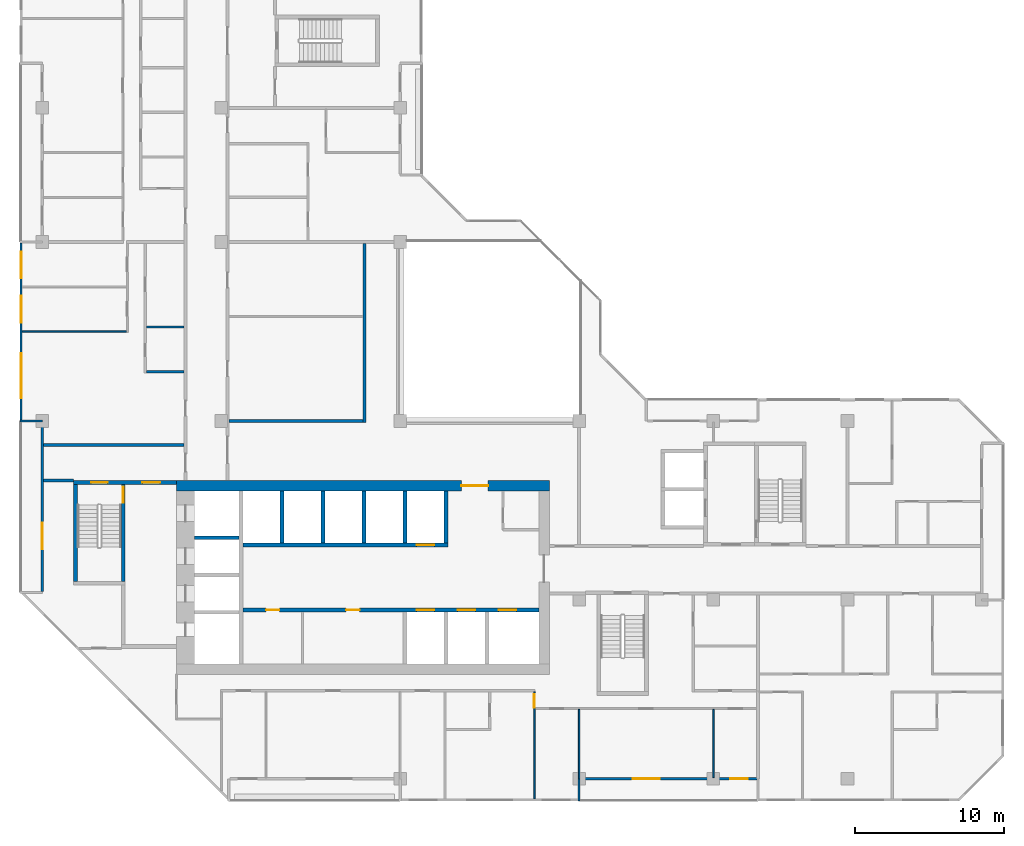
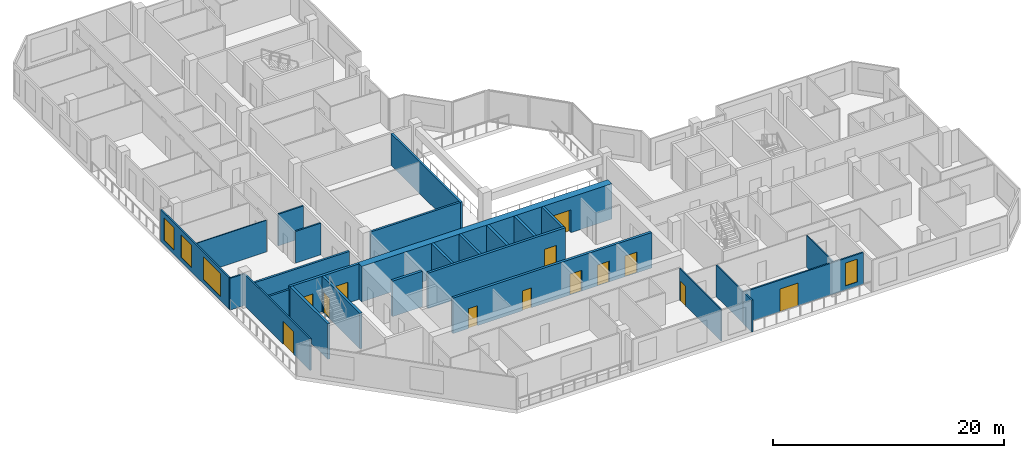
# One storey, part 5 of 15: 27 walls, 13 doors, 4 windows, 17 openings.
"""IFC4 building model written with IfcOpenShell, lengths in metres."""

from ifc_helpers import new_model, si_unit, direction, frame, frame_2d, origin, place, context, subcontext, project, spatial, rectangle, extrude, material, layer, layer_set, type_object, element, fill, save


model = new_model("IFC4")

# Units and contexts
model_context = context("Model", 3, precision=1e-05, world=origin(), true_north=direction((0.0, 1.0)))
body_context = subcontext(model_context, "Body", "Model", "MODEL_VIEW")
ifc_project = project(units=[si_unit("LENGTHUNIT", "METRE"), si_unit("AREAUNIT", "SQUARE_METRE"), si_unit("VOLUMEUNIT", "CUBIC_METRE"), si_unit("PLANEANGLEUNIT", "RADIAN"), si_unit("MASSUNIT", "GRAM", prefix="KILO")], contexts=[model_context])

# Site, building, storey
site_placement = place(None, origin())
site = spatial("IfcSite", under=ifc_project, at=site_placement, CompositionType="ELEMENT")
building_placement = place(site_placement, origin())
building = spatial("IfcBuilding", under=site, at=building_placement, Name="Chenar Terraces", CompositionType="ELEMENT")
storey_placement = place(building_placement, frame((0.0, 0.0, 215.39990234375)))
storey = spatial("IfcBuildingStorey", under=building, at=storey_placement, Name="L50", CompositionType="ELEMENT", Elevation=215.39990234375)

# Wall, openings, doors
ifc_material_1 = material(Name="Concrete C60/75", Category="concrete")
ifc_layer_1 = layer(ifc_material_1, 0.25)
ifc_layer_set_1 = layer_set([ifc_layer_1], Name="Concrete C60/75")
wall_type_1 = type_object("IfcWallType", Name="Core wall 250 Concrete C60/75", PredefinedType="SHEAR", material=ifc_layer_set_1)
wall_1_placement = place(storey_placement, frame((13.449951171875, 11.324951171875, 0.0), z_axis=(0.0, 0.0, 1.0), x_axis=(1.0, 0.0, 0.0)))
wall_1 = element("IfcWall", 1, at=wall_1_placement, inside=storey, type_object=wall_type_1, Name="Core wall SF L50", PredefinedType="SHEAR", context=body_context, shape_type="SweptSolid", body=[
    extrude(rectangle(XDim=19.85009765625, YDim=0.25, at=frame_2d((9.925048828125, 0.0))), origin(), (0.0, 0.0, 1.0), 3.75),
])
opening_1_placement = place(wall_1_placement, frame((11.64990234375, 0.0, 0.0)))
opening_1 = element("IfcOpeningElement", 2, at=opening_1_placement, cuts=wall_1, Name="Opening DL50-LD1", PredefinedType="OPENING", context=body_context, shape_type="SweptSolid", body=[
    extrude(rectangle(XDim=1.199951171875, YDim=2.199951171875, at=frame_2d((0.60009765625, 1.10009765625))), frame((0.0, 0.135009765625, 0.0), z_axis=(0.0, -1.0, 0.0), x_axis=(1.0, 0.0, 0.0)), (0.0, 0.0, 1.0), 0.27001953125),
])
opening_2_placement = place(wall_1_placement, frame((14.39990234375, 0.0, 0.0)))
opening_2 = element("IfcOpeningElement", 3, at=opening_2_placement, cuts=wall_1, Name="Opening DL50-LD2", PredefinedType="OPENING", context=body_context, shape_type="SweptSolid", body=[
    extrude(rectangle(XDim=1.199951171875, YDim=2.199951171875, at=frame_2d((0.60009765625, 1.10009765625))), frame((0.0, 0.135009765625, 0.0), z_axis=(0.0, -1.0, 0.0), x_axis=(1.0, 0.0, 0.0)), (0.0, 0.0, 1.0), 0.27001953125),
])
opening_3_placement = place(wall_1_placement, frame((17.14990234375, 0.0, 0.0)))
opening_3 = element("IfcOpeningElement", 4, at=opening_3_placement, cuts=wall_1, Name="Opening DL50-LD3", PredefinedType="OPENING", context=body_context, shape_type="SweptSolid", body=[
    extrude(rectangle(XDim=1.199951171875, YDim=2.199951171875, at=frame_2d((0.60009765625, 1.10009765625))), frame((0.0, 0.135009765625, 0.0), z_axis=(0.0, -1.0, 0.0), x_axis=(1.0, 0.0, 0.0)), (0.0, 0.0, 1.0), 0.27001953125),
])
opening_4_placement = place(wall_1_placement, frame((1.550048828125, 0.0, 0.0)))
opening_4 = element("IfcOpeningElement", 5, at=opening_4_placement, cuts=wall_1, Name="Opening DL50-C12", PredefinedType="OPENING", context=body_context, shape_type="SweptSolid", body=[
    extrude(rectangle(XDim=0.89990234375, YDim=2.10009765625, at=frame_2d((0.449951171875, 1.050048828125))), frame((0.0, 0.135009765625, 0.0), z_axis=(0.0, -1.0, 0.0), x_axis=(1.0, 0.0, 0.0)), (0.0, 0.0, 1.0), 0.27001953125),
])
opening_5_placement = place(wall_1_placement, frame((6.925048828125, 0.0, 0.0)))
opening_5 = element("IfcOpeningElement", 6, at=opening_5_placement, cuts=wall_1, Name="Opening DL50-C13", PredefinedType="OPENING", context=body_context, shape_type="SweptSolid", body=[
    extrude(rectangle(XDim=0.89990234375, YDim=2.10009765625, at=frame_2d((0.449951171875, 1.050048828125))), frame((0.0, 0.135009765625, 0.0), z_axis=(0.0, -1.0, 0.0), x_axis=(1.0, 0.0, 0.0)), (0.0, 0.0, 1.0), 0.27001953125),
])
ifc_material_2 = material(Name="Stainless steel", Category="steel")
door_type_1 = type_object("IfcDoorType", Name="Lift landing door 1200 x 2200 sliding", OperationType="DOUBLE_DOOR_SLIDING", PredefinedType="DOOR", material=ifc_material_2)
door_1_placement = place(opening_1_placement, origin())
door_1 = element("IfcDoor", 7, at=door_1_placement, inside=storey, type_object=door_type_1, Name="Landing door M1", OperationType="DOUBLE_DOOR_SLIDING", OverallHeight=2.199951171875, OverallWidth=1.199951171875, PredefinedType="DOOR", context=body_context, shape_type="SweptSolid", body=[
    extrude(rectangle(XDim=1.199951171875, YDim=2.199951171875, at=frame_2d((0.60009765625, 1.10009765625))), frame((0.0, 0.02490234375, 0.0), z_axis=(0.0, -1.0, 0.0), x_axis=(1.0, 0.0, 0.0)), (0.0, 0.0, 1.0), 0.050048828125),
])
fill(opening_1, door_1)
door_2_placement = place(opening_2_placement, origin())
door_2 = element("IfcDoor", 8, at=door_2_placement, inside=storey, type_object=door_type_1, Name="Landing door M2", OperationType="DOUBLE_DOOR_SLIDING", OverallHeight=2.199951171875, OverallWidth=1.199951171875, PredefinedType="DOOR", context=body_context, shape_type="SweptSolid", body=[
    extrude(rectangle(XDim=1.199951171875, YDim=2.199951171875, at=frame_2d((0.60009765625, 1.10009765625))), frame((0.0, 0.02490234375, 0.0), z_axis=(0.0, -1.0, 0.0), x_axis=(1.0, 0.0, 0.0)), (0.0, 0.0, 1.0), 0.050048828125),
])
fill(opening_2, door_2)
door_3_placement = place(opening_3_placement, origin())
door_3 = element("IfcDoor", 9, at=door_3_placement, inside=storey, type_object=door_type_1, Name="Landing door M3", OperationType="DOUBLE_DOOR_SLIDING", OverallHeight=2.199951171875, OverallWidth=1.199951171875, PredefinedType="DOOR", context=body_context, shape_type="SweptSolid", body=[
    extrude(rectangle(XDim=1.199951171875, YDim=2.199951171875, at=frame_2d((0.60009765625, 1.10009765625))), frame((0.0, 0.02490234375, 0.0), z_axis=(0.0, -1.0, 0.0), x_axis=(1.0, 0.0, 0.0)), (0.0, 0.0, 1.0), 0.050048828125),
])
fill(opening_3, door_3)
ifc_material_3 = material(Name="Steel-framed fire-resisting door leaf", Category="steel")
door_type_2 = type_object("IfcDoorType", Name="Riser fire door FD60 900 x 2100", OperationType="SINGLE_SWING_LEFT", PredefinedType="DOOR", material=ifc_material_3)
door_4_placement = place(opening_4_placement, frame((0.89990234375, 0.0, 0.0), z_axis=(0.0, 0.0, 1.0), x_axis=(-1.0, 0.0, 0.0)))
door_4 = element("IfcDoor", 10, at=door_4_placement, inside=storey, type_object=door_type_2, Name="Core room door DL50-C12", OperationType="SINGLE_SWING_LEFT", OverallHeight=2.10009765625, OverallWidth=0.89990234375, PredefinedType="DOOR", context=body_context, shape_type="SweptSolid", body=[
    extrude(rectangle(XDim=0.89990234375, YDim=2.10009765625, at=frame_2d((0.449951171875, 1.050048828125))), frame((0.0, 0.02490234375, 0.0), z_axis=(0.0, -1.0, 0.0), x_axis=(1.0, 0.0, 0.0)), (0.0, 0.0, 1.0), 0.050048828125),
])
fill(opening_4, door_4)
door_5_placement = place(opening_5_placement, frame((0.89990234375, 0.0, 0.0), z_axis=(0.0, 0.0, 1.0), x_axis=(-1.0, 0.0, 0.0)))
door_5 = element("IfcDoor", 11, at=door_5_placement, inside=storey, type_object=door_type_2, Name="Core room door DL50-C13", OperationType="SINGLE_SWING_RIGHT", OverallHeight=2.10009765625, OverallWidth=0.89990234375, PredefinedType="DOOR", context=body_context, shape_type="SweptSolid", body=[
    extrude(rectangle(XDim=0.89990234375, YDim=2.10009765625, at=frame_2d((0.449951171875, 1.050048828125))), frame((0.0, 0.02490234375, 0.0), z_axis=(0.0, -1.0, 0.0), x_axis=(1.0, 0.0, 0.0)), (0.0, 0.0, 1.0), 0.050048828125),
])
fill(opening_5, door_5)

# Wall, opening, door
wall_2_placement = place(storey_placement, frame((13.449951171875, 15.675048828125, 0.0), z_axis=(0.0, 0.0, 1.0), x_axis=(1.0, 0.0, 0.0)))
wall_2 = element("IfcWall", 12, at=wall_2_placement, inside=storey, type_object=wall_type_1, Name="Core wall NF L50", PredefinedType="SHEAR", context=body_context, shape_type="SweptSolid", body=[
    extrude(rectangle(XDim=13.75, YDim=0.25, at=frame_2d((6.875, 0.0))), origin(), (0.0, 0.0, 1.0), 3.75),
])
opening_6_placement = place(wall_2_placement, frame((11.64990234375, 0.0, 0.0)))
opening_6 = element("IfcOpeningElement", 13, at=opening_6_placement, cuts=wall_2, Name="Opening DL50-LD4", PredefinedType="OPENING", context=body_context, shape_type="SweptSolid", body=[
    extrude(rectangle(XDim=1.199951171875, YDim=2.199951171875, at=frame_2d((0.60009765625, 1.10009765625))), frame((0.0, 0.135009765625, 0.0), z_axis=(0.0, -1.0, 0.0), x_axis=(1.0, 0.0, 0.0)), (0.0, 0.0, 1.0), 0.27001953125),
])
door_6_placement = place(opening_6_placement, origin())
door_6 = element("IfcDoor", 14, at=door_6_placement, inside=storey, type_object=door_type_1, Name="Landing door M4", OperationType="DOUBLE_DOOR_SLIDING", OverallHeight=2.199951171875, OverallWidth=1.199951171875, PredefinedType="DOOR", context=body_context, shape_type="SweptSolid", body=[
    extrude(rectangle(XDim=1.199951171875, YDim=2.199951171875, at=frame_2d((0.60009765625, 1.10009765625))), frame((0.0, 0.02490234375, 0.0), z_axis=(0.0, -1.0, 0.0), x_axis=(1.0, 0.0, 0.0)), (0.0, 0.0, 1.0), 0.050048828125),
])
fill(opening_6, door_6)

# Walls
wall_3_placement = place(storey_placement, frame((10.199951171875, 16.175048828125, 0.0), z_axis=(0.0, 0.0, 1.0), x_axis=(1.0, 0.0, 0.0)))
element("IfcWall", 15, at=wall_3_placement, inside=storey, type_object=wall_type_1, Name="Core wall HW2 L50", PredefinedType="SHEAR", context=body_context, shape_type="SweptSolid", body=[
    extrude(rectangle(XDim=3.0, YDim=0.25, at=frame_2d((1.5, 0.0))), origin(), (0.0, 0.0, 1.0), 3.75),
])
for number, where, z_axis, x_axis, name in (
    (16, (16.074951171875, 15.800048828125, 0.0), (0.0, 0.0, 1.0), (0.0, 1.0, 0.0), "Core wall NS0 L50"),
    (17, (18.824951171875, 15.800048828125, 0.0), (0.0, 0.0, 1.0), (0.0, 1.0, 0.0), "Core wall NS1 L50"),
    (18, (21.574951171875, 15.800048828125, 0.0), (0.0, 0.0, 1.0), (0.0, 1.0, 0.0), "Core wall NS2 L50"),
    (19, (24.324951171875, 15.800048828125, 0.0), (0.0, 0.0, 1.0), (0.0, 1.0, 0.0), "Core wall NS3 L50"),
    (20, (27.074951171875, 15.800048828125, 0.0), (0.0, 0.0, 1.0), (0.0, 1.0, 0.0), "Core wall NE L50"),
):
    element("IfcWall", number, at=place(storey_placement, frame(where, z_axis=z_axis, x_axis=x_axis)), inside=storey, type_object=wall_type_1, Name=name, PredefinedType="SHEAR", context=body_context, shape_type="SweptSolid", body=[
        extrude(rectangle(XDim=3.5, YDim=0.25, at=frame_2d((1.75, 0.0))), origin(), (0.0, 0.0, 1.0), 3.75),
    ])

# Wall, openings, doors
wall_4_placement = place(storey_placement, frame((2.10009765625, 19.875, 0.0), z_axis=(0.0, 0.0, 1.0), x_axis=(1.0, 0.0, 0.0)))
wall_4 = element("IfcWall", 21, at=wall_4_placement, inside=storey, type_object=wall_type_1, Name="Core wall A_N L50", PredefinedType="SHEAR", context=body_context, shape_type="SweptSolid", body=[
    extrude(rectangle(XDim=6.89990234375, YDim=0.25, at=frame_2d((3.449951171875, 0.0))), origin(), (0.0, 0.0, 1.0), 3.75),
])
opening_7_placement = place(wall_4_placement, frame((1.175048828125, 0.0, 0.0)))
opening_7 = element("IfcOpeningElement", 22, at=opening_7_placement, cuts=wall_4, Name="Opening DL50-C5", PredefinedType="OPENING", context=body_context, shape_type="SweptSolid", body=[
    extrude(rectangle(XDim=1.10009765625, YDim=2.199951171875, at=frame_2d((0.550048828125, 1.10009765625))), frame((0.0, 0.135009765625, 0.0), z_axis=(0.0, -1.0, 0.0), x_axis=(1.0, 0.0, 0.0)), (0.0, 0.0, 1.0), 0.27001953125),
])
opening_8_placement = place(wall_4_placement, frame((4.60009765625, 0.0, 0.0)))
opening_8 = element("IfcOpeningElement", 23, at=opening_8_placement, cuts=wall_4, Name="Opening DL50-C6", PredefinedType="OPENING", context=body_context, shape_type="SweptSolid", body=[
    extrude(rectangle(XDim=1.199951171875, YDim=2.199951171875, at=frame_2d((0.60009765625, 1.10009765625))), frame((0.0, 0.135009765625, 0.0), z_axis=(0.0, -1.0, 0.0), x_axis=(1.0, 0.0, 0.0)), (0.0, 0.0, 1.0), 0.27001953125),
])
ifc_material_4 = material(Name="Steel-framed fire-resisting door leaf", Category="steel")
door_type_3 = type_object("IfcDoorType", Name="Lobby fire door FD60 1200 x 2200", OperationType="SINGLE_SWING_LEFT", PredefinedType="DOOR", material=ifc_material_4)
door_7_placement = place(opening_8_placement, frame((1.199951171875, 0.0, 0.0), z_axis=(0.0, 0.0, 1.0), x_axis=(-1.0, 0.0, 0.0)))
door_7 = element("IfcDoor", 24, at=door_7_placement, inside=storey, type_object=door_type_3, Name="Core door DL50-C6", OperationType="SINGLE_SWING_LEFT", OverallHeight=2.199951171875, OverallWidth=1.199951171875, PredefinedType="DOOR", context=body_context, shape_type="SweptSolid", body=[
    extrude(rectangle(XDim=1.199951171875, YDim=2.199951171875, at=frame_2d((0.60009765625, 1.10009765625))), frame((0.0, 0.02490234375, 0.0), z_axis=(0.0, -1.0, 0.0), x_axis=(1.0, 0.0, 0.0)), (0.0, 0.0, 1.0), 0.050048828125),
])
fill(opening_8, door_7)
ifc_material_5 = material(Name="Steel-framed fire-resisting door leaf", Category="steel")
door_type_4 = type_object("IfcDoorType", Name="Stair fire door FD60 1100 x 2200", OperationType="SINGLE_SWING_LEFT", PredefinedType="DOOR", material=ifc_material_5)
door_8_placement = place(opening_7_placement, origin())
door_8 = element("IfcDoor", 25, at=door_8_placement, inside=storey, type_object=door_type_4, Name="Stair door DL50-C5", OperationType="SINGLE_SWING_LEFT", OverallHeight=2.199951171875, OverallWidth=1.10009765625, PredefinedType="DOOR", context=body_context, shape_type="SweptSolid", body=[
    extrude(rectangle(XDim=1.10009765625, YDim=2.199951171875, at=frame_2d((0.550048828125, 1.10009765625))), frame((0.0, 0.02490234375, 0.0), z_axis=(0.0, -1.0, 0.0), x_axis=(1.0, 0.0, 0.0)), (0.0, 0.0, 1.0), 0.050048828125),
])
fill(opening_7, door_8)

# Wall
wall_5_placement = place(storey_placement, frame((2.22509765625, 13.25, 0.0), z_axis=(0.0, 0.0, 1.0), x_axis=(0.0, 1.0, 0.0)))
element("IfcWall", 26, at=wall_5_placement, inside=storey, type_object=wall_type_1, Name="Core wall ST1_W L50", PredefinedType="SHEAR", context=body_context, shape_type="SweptSolid", body=[
    extrude(rectangle(XDim=6.5, YDim=0.25, at=frame_2d((3.25, 0.0))), origin(), (0.0, 0.0, 1.0), 3.75),
])

# Wall, opening, door
wall_6_placement = place(storey_placement, frame((5.425048828125, 13.25, 0.0), z_axis=(0.0, 0.0, 1.0), x_axis=(0.0, 1.0, 0.0)))
wall_6 = element("IfcWall", 27, at=wall_6_placement, inside=storey, type_object=wall_type_1, Name="Core wall ST1_E L50", PredefinedType="SHEAR", context=body_context, shape_type="SweptSolid", body=[
    extrude(rectangle(XDim=6.5, YDim=0.25, at=frame_2d((3.25, 0.0))), origin(), (0.0, 0.0, 1.0), 3.75),
])
opening_9_placement = place(wall_6_placement, frame((5.25, 0.0, 0.0)))
opening_9 = element("IfcOpeningElement", 28, at=opening_9_placement, cuts=wall_6, Name="Opening DL50-C3", PredefinedType="OPENING", context=body_context, shape_type="SweptSolid", body=[
    extrude(rectangle(XDim=1.10009765625, YDim=2.199951171875, at=frame_2d((0.550048828125, 1.10009765625))), frame((0.0, 0.135009765625, 0.0), z_axis=(0.0, -1.0, 0.0), x_axis=(1.0, 0.0, 0.0)), (0.0, 0.0, 1.0), 0.27001953125),
])
door_9_placement = place(opening_9_placement, origin())
door_9 = element("IfcDoor", 29, at=door_9_placement, inside=storey, type_object=door_type_4, Name="Stair door DL50-C3", OperationType="SINGLE_SWING_RIGHT", OverallHeight=2.199951171875, OverallWidth=1.10009765625, PredefinedType="DOOR", context=body_context, shape_type="SweptSolid", body=[
    extrude(rectangle(XDim=1.10009765625, YDim=2.199951171875, at=frame_2d((0.550048828125, 1.10009765625))), frame((0.0, 0.02490234375, 0.0), z_axis=(0.0, -1.0, 0.0), x_axis=(1.0, 0.0, 0.0)), (0.0, 0.0, 1.0), 0.050048828125),
])
fill(opening_9, door_9)

ifc_material_6 = material(Name="Concrete C60/75", Category="concrete")
ifc_layer_2 = layer(ifc_material_6, 0.699951171875)
ifc_layer_set_2 = layer_set([ifc_layer_2], Name="Concrete C60/75")
wall_type_2 = type_object("IfcWallType", Name="Core wall 700 Concrete C60/75", PredefinedType="SHEAR", material=ifc_layer_set_2)
wall_7_placement = place(storey_placement, frame((9.0, 19.64990234375, 0.0), z_axis=(0.0, 0.0, 1.0), x_axis=(1.0, 0.0, 0.0)))
wall_7 = element("IfcWall", 30, at=wall_7_placement, inside=storey, type_object=wall_type_2, Name="Core wall N L50", PredefinedType="SHEAR", context=body_context, shape_type="SweptSolid", body=[
    extrude(rectangle(XDim=25.0, YDim=0.699951171875, at=frame_2d((12.5, 0.0))), origin(), (0.0, 0.0, 1.0), 3.75),
])
opening_10_placement = place(wall_7_placement, frame((19.10009765625, 0.0, 0.0)))
opening_10 = element("IfcOpeningElement", 31, at=opening_10_placement, cuts=wall_7, Name="Opening DL50-C2", PredefinedType="OPENING", context=body_context, shape_type="SweptSolid", body=[
    extrude(rectangle(XDim=1.800048828125, YDim=2.39990234375, at=frame_2d((0.89990234375, 1.199951171875))), frame((0.0, 0.35986328125, 0.0), z_axis=(0.0, -1.0, 0.0), x_axis=(1.0, 0.0, 0.0)), (0.0, 0.0, 1.0), 0.719970703125),
])
ifc_material_7 = material(Name="Steel-framed fire-resisting door leaf", Category="steel")
door_type_5 = type_object("IfcDoorType", Name="Core entrance double fire door FD60 1800 x 2400", OperationType="DOUBLE_DOOR_SINGLE_SWING", PredefinedType="DOOR", material=ifc_material_7)
door_10_placement = place(opening_10_placement, frame((1.800048828125, 0.0, 0.0), z_axis=(0.0, 0.0, 1.0), x_axis=(-1.0, 0.0, 0.0)))
door_10 = element("IfcDoor", 32, at=door_10_placement, inside=storey, type_object=door_type_5, Name="Core door DL50-C2", OperationType="DOUBLE_DOOR_SINGLE_SWING", OverallHeight=2.39990234375, OverallWidth=1.800048828125, PredefinedType="DOOR", context=body_context, shape_type="SweptSolid", body=[
    extrude(rectangle(XDim=1.800048828125, YDim=2.39990234375, at=frame_2d((0.89990234375, 1.199951171875))), frame((0.0, 0.02490234375, 0.0), z_axis=(0.0, -1.0, 0.0), x_axis=(1.0, 0.0, 0.0)), (0.0, 0.0, 1.0), 0.050048828125),
])
fill(opening_10, door_10)

# Walls
ifc_material_8 = material(Name="Gypsum board on steel studs with fire boards", Category="steel")
ifc_layer_3 = layer(ifc_material_8, 0.199951171875)
ifc_layer_set_3 = layer_set([ifc_layer_3], Name="Gypsum board on steel studs with fire boards")
wall_type_3 = type_object("IfcWallType", Name="Corridor wall 200", PredefinedType="PARTITIONING", material=ifc_layer_set_3)
wall_8_placement = place(storey_placement, frame((0.073974609375, 20.0, 0.0), z_axis=(0.0, 0.0, 1.0), x_axis=(1.0, 0.0, 0.0)))
element("IfcWall", 33, at=wall_8_placement, inside=storey, type_object=wall_type_3, Name="Partition L50-008", PredefinedType="PARTITIONING", context=body_context, shape_type="SweptSolid", body=[
    extrude(rectangle(XDim=2.026123046875, YDim=0.199951171875, at=frame_2d((1.01318359375, 0.0))), origin(), (0.0, 0.0, 1.0), 3.35009765625),
])
wall_9_placement = place(storey_placement, frame((0.073974609375, 22.39990234375, 0.0), z_axis=(0.0, 0.0, 1.0), x_axis=(1.0, 0.0, 0.0)))
element("IfcWall", 34, at=wall_9_placement, inside=storey, type_object=wall_type_3, Name="Partition L50-009", PredefinedType="PARTITIONING", context=body_context, shape_type="SweptSolid", body=[
    extrude(rectangle(XDim=9.426025390625, YDim=0.199951171875, at=frame_2d((4.712890625, 0.0))), origin(), (0.0, 0.0, 1.0), 3.35009765625),
])
wall_10_placement = place(storey_placement, frame((12.52490234375, 24.0, 0.0), z_axis=(0.0, 0.0, 1.0), x_axis=(1.0, 0.0, 0.0)))
element("IfcWall", 35, at=wall_10_placement, inside=storey, type_object=wall_type_3, Name="Partition L50-034", PredefinedType="PARTITIONING", context=body_context, shape_type="SweptSolid", body=[
    extrude(rectangle(XDim=8.97509765625, YDim=0.199951171875, at=frame_2d((4.487548828125, 0.0))), origin(), (0.0, 0.0, 1.0), 3.35009765625),
])
wall_11_placement = place(storey_placement, frame((21.60009765625, 23.89990234375, 0.0), z_axis=(0.0, 0.0, 1.0), x_axis=(0.0, 1.0, 0.0)))
element("IfcWall", 36, at=wall_11_placement, inside=storey, type_object=wall_type_3, Name="Partition L50-052", PredefinedType="PARTITIONING", context=body_context, shape_type="SweptSolid", body=[
    extrude(rectangle(XDim=12.0, YDim=0.199951171875, at=frame_2d((6.0, 0.0))), origin(), (0.0, 0.0, 1.0), 3.35009765625),
])

# Wall, openings, windows
ifc_material_9 = material(Name="Aluminium framed glazing", Category="aluminium")
ifc_layer_4 = layer(ifc_material_9, 0.14990234375)
ifc_layer_set_4 = layer_set([ifc_layer_4], Name="Aluminium framed glazing")
wall_type_4 = type_object("IfcWallType", Name="Glazed flush facade wall 150", PredefinedType="SOLIDWALL", material=ifc_layer_set_4)
wall_12_placement = place(storey_placement, frame((-1.425048828125, 35.925048828125, 0.0), z_axis=(0.0, 0.0, 1.0), x_axis=(0.0, -1.0, 0.0)))
wall_12 = element("IfcWall", 37, at=wall_12_placement, inside=storey, type_object=wall_type_4, Name="Glazed flush facade wall", PredefinedType="SOLIDWALL", context=body_context, shape_type="SweptSolid", body=[
    extrude(rectangle(XDim=11.85009765625, YDim=0.14990234375, at=frame_2d((5.925048828125, 0.0))), origin(), (0.0, 0.0, 1.0), 3.35009765625),
])
opening_11_placement = place(wall_12_placement, frame((0.5625, 0.0, 0.449951171875)))
opening_11 = element("IfcOpeningElement", 38, at=opening_11_placement, cuts=wall_12, Name="Opening W180x240", PredefinedType="OPENING", context=body_context, shape_type="SweptSolid", body=[
    extrude(rectangle(XDim=1.800048828125, YDim=2.39990234375, at=frame_2d((0.89990234375, 1.199951171875))), frame((0.0, 0.0849609375, 0.0), z_axis=(0.0, -1.0, 0.0), x_axis=(1.0, 0.0, 0.0)), (0.0, 0.0, 1.0), 0.169921875),
])
opening_12_placement = place(wall_12_placement, frame((3.52490234375, 0.0, 0.449951171875)))
opening_12 = element("IfcOpeningElement", 39, at=opening_12_placement, cuts=wall_12, Name="Opening W180x240", PredefinedType="OPENING", context=body_context, shape_type="SweptSolid", body=[
    extrude(rectangle(XDim=1.800048828125, YDim=2.39990234375, at=frame_2d((0.89990234375, 1.199951171875))), frame((0.0, 0.0849609375, 0.0), z_axis=(0.0, -1.0, 0.0), x_axis=(1.0, 0.0, 0.0)), (0.0, 0.0, 1.0), 0.169921875),
])
opening_13_placement = place(wall_12_placement, frame((7.387451171875, 0.0, 0.449951171875)))
opening_13 = element("IfcOpeningElement", 40, at=opening_13_placement, cuts=wall_12, Name="Opening W300x240", PredefinedType="OPENING", context=body_context, shape_type="SweptSolid", body=[
    extrude(rectangle(XDim=3.0, YDim=2.39990234375, at=frame_2d((1.5, 1.199951171875))), frame((0.0, 0.0849609375, 0.0), z_axis=(0.0, -1.0, 0.0), x_axis=(1.0, 0.0, 0.0)), (0.0, 0.0, 1.0), 0.169921875),
])
ifc_material_10 = material(Name="Low emissivity double glazing, aluminium frame", Category="aluminium")
window_type_1 = type_object("IfcWindowType", Name="Fixed light 1800 x 2400", PartitioningType="SINGLE_PANEL", PredefinedType="WINDOW", material=ifc_material_10)
window_1_placement = place(opening_11_placement, origin())
window_1 = element("IfcWindow", 41, at=window_1_placement, inside=storey, type_object=window_type_1, Name="Window", OverallHeight=2.39990234375, OverallWidth=1.800048828125, PartitioningType="SINGLE_PANEL", PredefinedType="WINDOW", context=body_context, shape_type="SweptSolid", body=[
    extrude(rectangle(XDim=1.800048828125, YDim=2.39990234375, at=frame_2d((0.89990234375, 1.199951171875))), frame((0.0, 0.030029296875, 0.0), z_axis=(0.0, -1.0, 0.0), x_axis=(1.0, 0.0, 0.0)), (0.0, 0.0, 1.0), 0.06005859375),
])
fill(opening_11, window_1)
window_2_placement = place(opening_12_placement, origin())
window_2 = element("IfcWindow", 42, at=window_2_placement, inside=storey, type_object=window_type_1, Name="Window", OverallHeight=2.39990234375, OverallWidth=1.800048828125, PartitioningType="SINGLE_PANEL", PredefinedType="WINDOW", context=body_context, shape_type="SweptSolid", body=[
    extrude(rectangle(XDim=1.800048828125, YDim=2.39990234375, at=frame_2d((0.89990234375, 1.199951171875))), frame((0.0, 0.030029296875, 0.0), z_axis=(0.0, -1.0, 0.0), x_axis=(1.0, 0.0, 0.0)), (0.0, 0.0, 1.0), 0.06005859375),
])
fill(opening_12, window_2)
ifc_material_11 = material(Name="Low emissivity double glazing, aluminium frame", Category="aluminium")
window_type_2 = type_object("IfcWindowType", Name="Fixed light 3000 x 2400", PartitioningType="SINGLE_PANEL", PredefinedType="WINDOW", material=ifc_material_11)
window_3_placement = place(opening_13_placement, origin())
window_3 = element("IfcWindow", 43, at=window_3_placement, inside=storey, type_object=window_type_2, Name="Window", OverallHeight=2.39990234375, OverallWidth=3.0, PartitioningType="SINGLE_PANEL", PredefinedType="WINDOW", context=body_context, shape_type="SweptSolid", body=[
    extrude(rectangle(XDim=3.0, YDim=2.39990234375, at=frame_2d((1.5, 1.199951171875))), frame((0.0, 0.030029296875, 0.0), z_axis=(0.0, -1.0, 0.0), x_axis=(1.0, 0.0, 0.0)), (0.0, 0.0, 1.0), 0.06005859375),
])
fill(opening_13, window_3)

# Wall, opening, door
ifc_material_12 = material(Name="Aluminium framed glazing", Category="aluminium")
ifc_layer_5 = layer(ifc_material_12, 0.14990234375)
ifc_layer_set_5 = layer_set([ifc_layer_5], Name="Aluminium framed glazing")
wall_type_5 = type_object("IfcWallType", Name="Glazed loggia back wall 150", PredefinedType="SOLIDWALL", material=ifc_layer_set_5)
wall_13_placement = place(storey_placement, frame((0.0, 23.925048828125, 0.0), z_axis=(0.0, 0.0, 1.0), x_axis=(0.0, -1.0, 0.0)))
wall_13 = element("IfcWall", 44, at=wall_13_placement, inside=storey, type_object=wall_type_5, Name="Glazed loggia back wall", PredefinedType="SOLIDWALL", context=body_context, shape_type="SweptSolid", body=[
    extrude(rectangle(XDim=11.35009765625, YDim=0.14990234375, at=frame_2d((5.675048828125, 0.0))), origin(), (0.0, 0.0, 1.0), 3.35009765625),
])
opening_14_placement = place(wall_13_placement, frame((6.737548828125, 0.0, 0.0)))
opening_14 = element("IfcOpeningElement", 45, at=opening_14_placement, cuts=wall_13, Name="Opening DL50-G4", PredefinedType="OPENING", context=body_context, shape_type="SweptSolid", body=[
    extrude(rectangle(XDim=1.800048828125, YDim=2.39990234375, at=frame_2d((0.89990234375, 1.199951171875))), frame((0.0, 0.0849609375, 0.0), z_axis=(0.0, -1.0, 0.0), x_axis=(1.0, 0.0, 0.0)), (0.0, 0.0, 1.0), 0.169921875),
])
ifc_material_13 = material(Name="Low emissivity double glazing, aluminium frame", Category="aluminium")
door_type_6 = type_object("IfcDoorType", Name="Loggia glazed double door 1800 x 2400", OperationType="DOUBLE_DOOR_SINGLE_SWING", PredefinedType="DOOR", material=ifc_material_13)
door_11_placement = place(opening_14_placement, frame((1.800048828125, 0.0, 0.0), z_axis=(0.0, 0.0, 1.0), x_axis=(-1.0, 0.0, 0.0)))
door_11 = element("IfcDoor", 46, at=door_11_placement, inside=storey, type_object=door_type_6, Name="Loggia glazed door", OperationType="DOUBLE_DOOR_SINGLE_SWING", OverallHeight=2.39990234375, OverallWidth=1.800048828125, PredefinedType="DOOR", context=body_context, shape_type="SweptSolid", body=[
    extrude(rectangle(XDim=1.800048828125, YDim=2.39990234375, at=frame_2d((0.89990234375, 1.199951171875))), frame((0.0, 0.02490234375, 0.0), z_axis=(0.0, -1.0, 0.0), x_axis=(1.0, 0.0, 0.0)), (0.0, 0.0, 1.0), 0.050048828125),
])
fill(opening_14, door_11)

# Wall, openings, window, door
wall_14_placement = place(storey_placement, frame((36.074951171875, 0.0, 0.0), z_axis=(0.0, 0.0, 1.0), x_axis=(1.0, 0.0, 0.0)))
wall_14 = element("IfcWall", 47, at=wall_14_placement, inside=storey, type_object=wall_type_5, Name="Glazed loggia back wall", PredefinedType="SOLIDWALL", context=body_context, shape_type="SweptSolid", body=[
    extrude(rectangle(XDim=11.85009765625, YDim=0.14990234375, at=frame_2d((5.925048828125, 0.0))), origin(), (0.0, 0.0, 1.0), 3.35009765625),
])
opening_15_placement = place(wall_14_placement, frame((3.52490234375, 0.0, 0.0)))
opening_15 = element("IfcOpeningElement", 48, at=opening_15_placement, cuts=wall_14, Name="Opening DL50-G6", PredefinedType="OPENING", context=body_context, shape_type="SweptSolid", body=[
    extrude(rectangle(XDim=1.800048828125, YDim=2.39990234375, at=frame_2d((0.89990234375, 1.199951171875))), frame((0.0, 0.0849609375, 0.0), z_axis=(0.0, -1.0, 0.0), x_axis=(1.0, 0.0, 0.0)), (0.0, 0.0, 1.0), 0.169921875),
])
opening_16_placement = place(wall_14_placement, frame((10.050048828125, 0.0, 0.449951171875)))
opening_16 = element("IfcOpeningElement", 49, at=opening_16_placement, cuts=wall_14, Name="Opening W120x240", PredefinedType="OPENING", context=body_context, shape_type="SweptSolid", body=[
    extrude(rectangle(XDim=1.199951171875, YDim=2.39990234375, at=frame_2d((0.60009765625, 1.199951171875))), frame((0.0, 0.0849609375, 0.0), z_axis=(0.0, -1.0, 0.0), x_axis=(1.0, 0.0, 0.0)), (0.0, 0.0, 1.0), 0.169921875),
])
ifc_material_14 = material(Name="Low emissivity double glazing, aluminium frame", Category="aluminium")
window_type_3 = type_object("IfcWindowType", Name="Fixed light 1200 x 2400", PartitioningType="SINGLE_PANEL", PredefinedType="WINDOW", material=ifc_material_14)
window_4_placement = place(opening_16_placement, origin())
window_4 = element("IfcWindow", 50, at=window_4_placement, inside=storey, type_object=window_type_3, Name="Window", OverallHeight=2.39990234375, OverallWidth=1.199951171875, PartitioningType="SINGLE_PANEL", PredefinedType="WINDOW", context=body_context, shape_type="SweptSolid", body=[
    extrude(rectangle(XDim=1.199951171875, YDim=2.39990234375, at=frame_2d((0.60009765625, 1.199951171875))), frame((0.0, 0.030029296875, 0.0), z_axis=(0.0, -1.0, 0.0), x_axis=(1.0, 0.0, 0.0)), (0.0, 0.0, 1.0), 0.06005859375),
])
fill(opening_16, window_4)
door_12_placement = place(opening_15_placement, frame((1.800048828125, 0.0, 0.0), z_axis=(0.0, 0.0, 1.0), x_axis=(-1.0, 0.0, 0.0)))
door_12 = element("IfcDoor", 51, at=door_12_placement, inside=storey, type_object=door_type_6, Name="Loggia glazed door", OperationType="DOUBLE_DOOR_SINGLE_SWING", OverallHeight=2.39990234375, OverallWidth=1.800048828125, PredefinedType="DOOR", context=body_context, shape_type="SweptSolid", body=[
    extrude(rectangle(XDim=1.800048828125, YDim=2.39990234375, at=frame_2d((0.89990234375, 1.199951171875))), frame((0.0, 0.02490234375, 0.0), z_axis=(0.0, -1.0, 0.0), x_axis=(1.0, 0.0, 0.0)), (0.0, 0.0, 1.0), 0.050048828125),
])
fill(opening_15, door_12)

# Wall
ifc_material_15 = material(Name="Gypsum board on steel studs", Category="steel")
ifc_layer_6 = layer(ifc_material_15, 0.10009765625)
ifc_layer_set_6 = layer_set([ifc_layer_6], Name="Gypsum board on steel studs")
wall_type_6 = type_object("IfcWallType", Name="Gypsum partition 100", PredefinedType="PARTITIONING", material=ifc_layer_set_6)
wall_15_placement = place(storey_placement, frame((-1.35009765625, 30.0, 0.0), z_axis=(0.0, 0.0, 1.0), x_axis=(1.0, 0.0, 0.0)))
element("IfcWall", 52, at=wall_15_placement, inside=storey, type_object=wall_type_6, Name="Partition L50-005", PredefinedType="PARTITIONING", context=body_context, shape_type="SweptSolid", body=[
    extrude(rectangle(XDim=7.0, YDim=0.10009765625, at=frame_2d((3.5, 0.0))), origin(), (0.0, 0.0, 1.0), 3.35009765625),
])

# Wall, opening, door
wall_16_placement = place(storey_placement, frame((33.0, -1.35107421875, 0.0), z_axis=(0.0, 0.0, 1.0), x_axis=(0.0, 1.0, 0.0)))
wall_16 = element("IfcWall", 53, at=wall_16_placement, inside=storey, type_object=wall_type_6, Name="Partition L50-057", PredefinedType="PARTITIONING", context=body_context, shape_type="SweptSolid", body=[
    extrude(rectangle(XDim=7.176025390625, YDim=0.10009765625, at=frame_2d((3.587890625, 0.0))), origin(), (0.0, 0.0, 1.0), 3.35009765625),
])
opening_17_placement = place(wall_16_placement, frame((6.1259765625, 0.0, 0.0)))
opening_17 = element("IfcOpeningElement", 54, at=opening_17_placement, cuts=wall_16, Name="Opening DL50-51", PredefinedType="OPENING", context=body_context, shape_type="SweptSolid", body=[
    extrude(rectangle(XDim=0.89990234375, YDim=2.10009765625, at=frame_2d((0.449951171875, 1.050048828125))), frame((0.0, 0.06005859375, 0.0), z_axis=(0.0, -1.0, 0.0), x_axis=(1.0, 0.0, 0.0)), (0.0, 0.0, 1.0), 0.1201171875),
])
ifc_material_16 = material(Name="Veneered timber door leaf", Category="wood")
door_type_7 = type_object("IfcDoorType", Name="Door 900 x 2100", OperationType="SINGLE_SWING_LEFT", PredefinedType="DOOR", material=ifc_material_16)
door_13_placement = place(opening_17_placement, origin())
door_13 = element("IfcDoor", 55, at=door_13_placement, inside=storey, type_object=door_type_7, Name="Door DL50-51", OperationType="SINGLE_SWING_RIGHT", OverallHeight=2.10009765625, OverallWidth=0.89990234375, PredefinedType="DOOR", context=body_context, shape_type="SweptSolid", body=[
    extrude(rectangle(XDim=0.89990234375, YDim=2.10009765625, at=frame_2d((0.449951171875, 1.050048828125))), frame((0.0, 0.02490234375, 0.0), z_axis=(0.0, -1.0, 0.0), x_axis=(1.0, 0.0, 0.0)), (0.0, 0.0, 1.0), 0.050048828125),
])
fill(opening_17, door_13)

# Walls
wall_17_placement = place(storey_placement, frame((36.0, 0.0, 0.0), z_axis=(0.0, 0.0, 1.0), x_axis=(0.0, 1.0, 0.0)))
element("IfcWall", 56, at=wall_17_placement, inside=storey, type_object=wall_type_6, Name="Partition L50-061", PredefinedType="PARTITIONING", context=body_context, shape_type="SweptSolid", body=[
    extrude(rectangle(XDim=4.64990234375, YDim=0.10009765625, at=frame_2d((2.324951171875, 0.0))), origin(), (0.0, 0.0, 1.0), 3.35009765625),
])
wall_18_placement = place(storey_placement, frame((45.0, 0.073974609375, 0.0), z_axis=(0.0, 0.0, 1.0), x_axis=(0.0, 1.0, 0.0)))
element("IfcWall", 57, at=wall_18_placement, inside=storey, type_object=wall_type_6, Name="Partition L50-067", PredefinedType="PARTITIONING", context=body_context, shape_type="SweptSolid", body=[
    extrude(rectangle(XDim=4.575927734375, YDim=0.10009765625, at=frame_2d((2.2880859375, 0.0))), origin(), (0.0, 0.0, 1.0), 3.35009765625),
])
ifc_material_17 = material(Name="Terracotta cladding on insulated backing", Category="masonry")
ifc_layer_7 = layer(ifc_material_17, 0.14990234375)
ifc_layer_set_7 = layer_set([ifc_layer_7], Name="Terracotta cladding on insulated backing")
wall_type_7 = type_object("IfcWallType", Name="Loggia return wall 150", PredefinedType="SOLIDWALL", material=ifc_layer_set_7)
for number, where, z_axis, x_axis, name in (
    (58, (-1.5, 24.0, 0.0), (0.0, 0.0, 1.0), (1.0, 0.0, 0.0), "Loggia return wall"),
    (59, (36.0, -1.5, 0.0), (0.0, 0.0, 1.0), (0.0, 1.0, 0.0), "Loggia return wall"),
):
    element("IfcWall", number, at=place(storey_placement, frame(where, z_axis=z_axis, x_axis=x_axis)), inside=storey, type_object=wall_type_7, Name=name, PredefinedType="SOLIDWALL", context=body_context, shape_type="SweptSolid", body=[
        extrude(rectangle(XDim=1.5, YDim=0.14990234375, at=frame_2d((0.75, 0.0))), origin(), (0.0, 0.0, 1.0), 3.35009765625),
    ])
ifc_material_18 = material(Name="Moisture-resistant gypsum board on steel studs", Category="steel")
ifc_layer_8 = layer(ifc_material_18, 0.14990234375)
ifc_layer_set_8 = layer_set([ifc_layer_8], Name="Moisture-resistant gypsum board on steel studs")
wall_type_8 = type_object("IfcWallType", Name="Wet-room partition 150", PredefinedType="PARTITIONING", material=ifc_layer_set_8)
for number, where, z_axis, x_axis, name in (
    (60, (6.97509765625, 27.300048828125, 0.0), (0.0, 0.0, 1.0), (1.0, 0.0, 0.0), "Partition L50-026"),
    (61, (6.97509765625, 30.300048828125, 0.0), (0.0, 0.0, 1.0), (1.0, 0.0, 0.0), "Partition L50-027"),
):
    element("IfcWall", number, at=place(storey_placement, frame(where, z_axis=z_axis, x_axis=x_axis)), inside=storey, type_object=wall_type_8, Name=name, PredefinedType="PARTITIONING", context=body_context, shape_type="SweptSolid", body=[
        extrude(rectangle(XDim=2.52490234375, YDim=0.14990234375, at=frame_2d((1.262451171875, 0.0))), origin(), (0.0, 0.0, 1.0), 3.35009765625),
    ])

save(model, "model.ifc")
